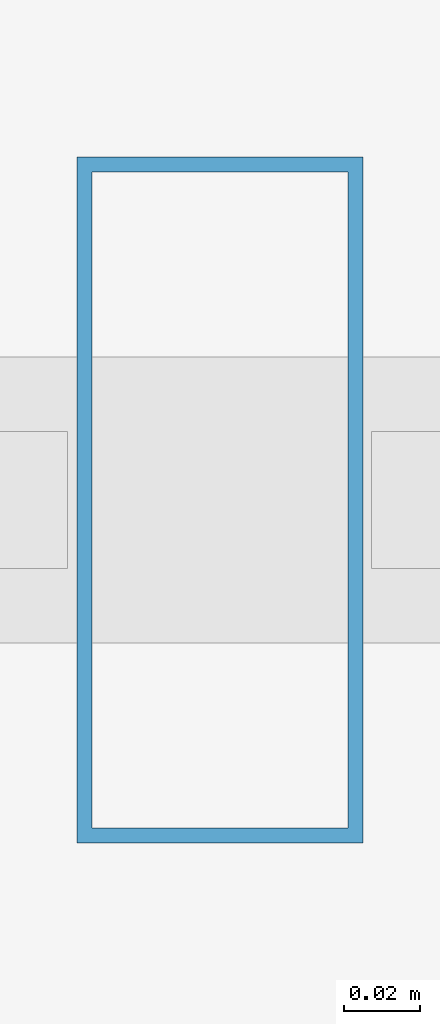
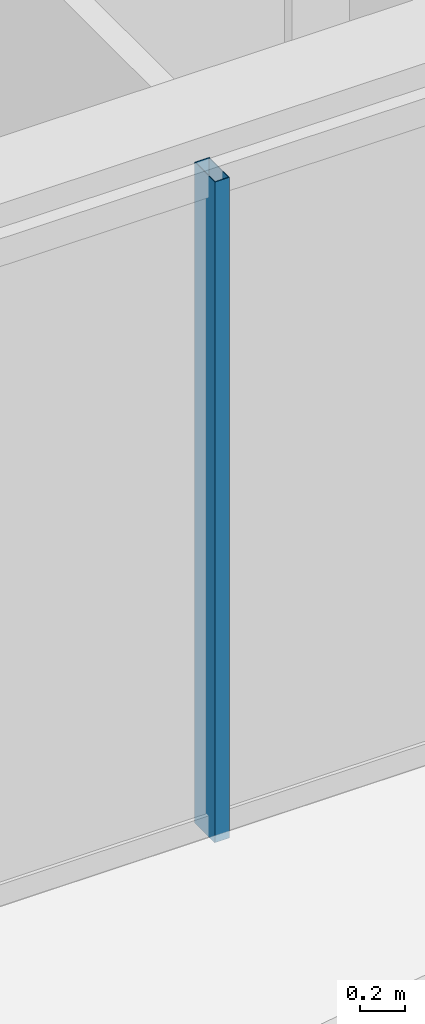
# One storey, part 16 of 36: 1 member, 1 element without a shape of its own.
"""IFC4 building model written with IfcOpenShell, lengths in metres."""

from ifc_helpers import new_model, si_unit, direction, frame, origin, origin_2d, place, context, subcontext, project, spatial, hollow_rectangle, extrude, material, layer, layer_set, material_profile, profile_set, type_object, element, aggregate, save


model = new_model("IFC4")

# Units and contexts
model_context = context("Model", 3, precision=1e-05, world=origin(), true_north=direction((0.0, 1.0)))
body_context = subcontext(model_context, "Body", "Model", "MODEL_VIEW")
ifc_project = project(units=[si_unit("LENGTHUNIT", "METRE"), si_unit("AREAUNIT", "SQUARE_METRE"), si_unit("VOLUMEUNIT", "CUBIC_METRE"), si_unit("PLANEANGLEUNIT", "RADIAN"), si_unit("MASSUNIT", "GRAM", prefix="KILO")], contexts=[model_context])

# Site, building, storey
site_placement = place(None, origin())
site = spatial("IfcSite", under=ifc_project, at=site_placement, CompositionType="ELEMENT")
building_placement = place(site_placement, origin())
building = spatial("IfcBuilding", under=site, at=building_placement, Name="Ndaravel Arena Tower", CompositionType="ELEMENT")
storey_placement = place(building_placement, frame((0.0, 0.0, 127.0)))
storey = spatial("IfcBuildingStorey", under=building, at=storey_placement, Name="L29", CompositionType="ELEMENT", Elevation=127.0)

# Curtain wall, member
ifc_material_1 = material(Name="Aluminium", Category="aluminium")
ifc_layer = layer(ifc_material_1, 0.179931640625)
ifc_layer_set = layer_set([ifc_layer], Name="Aluminium")
curtain_wall_type = type_object("IfcCurtainWallType", Name="CW-SYS-03", PredefinedType="NOTDEFINED", material=ifc_layer_set)
curtain_wall_placement = place(storey_placement, origin())
curtain_wall = element("IfcCurtainWall", 1, at=curtain_wall_placement, inside=storey, type_object=curtain_wall_type, Name="L29 Faceted Crystal Curtain Wall CW-L29-E01", PredefinedType="NOTDEFINED")
ifc_material_2 = material(Name="Aluminium", Category="aluminium")
ifc_material_profile = material_profile(ifc_material_2, hollow_rectangle(XDim=0.074951171875, YDim=0.179931640625, WallThickness=0.00390625, at=origin_2d()), Name="CW MULLION 75x180x4")
ifc_profile_set = profile_set([ifc_material_profile], Name="Aluminium")
member_type = type_object("IfcMemberType", Name="MEM-CW-MUL180", PredefinedType="MULLION", material=ifc_profile_set)
member_placement = place(storey_placement, frame((50.722412109375, 5.159912109375, 0.0), z_axis=(0.0, 0.0, 1.0), x_axis=(1.0, 0.0, 0.0)))
member = element("IfcMember", 2, at=member_placement, type_object=member_type, Name="CW-L29-E01 Mullion 06", PredefinedType="MULLION", context=body_context, shape_type="SweptSolid", body=[
    extrude(hollow_rectangle(XDim=0.074951171875, YDim=0.179931640625, WallThickness=0.00390625, at=origin_2d()), origin(), (0.0, 0.0, 1.0), 3.580078125),
])
aggregate(curtain_wall, [member])

save(model, "model.ifc")
